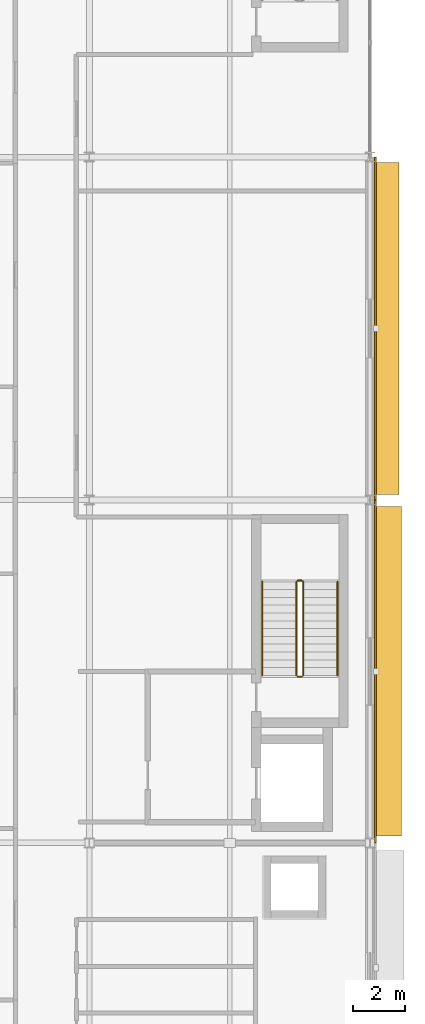
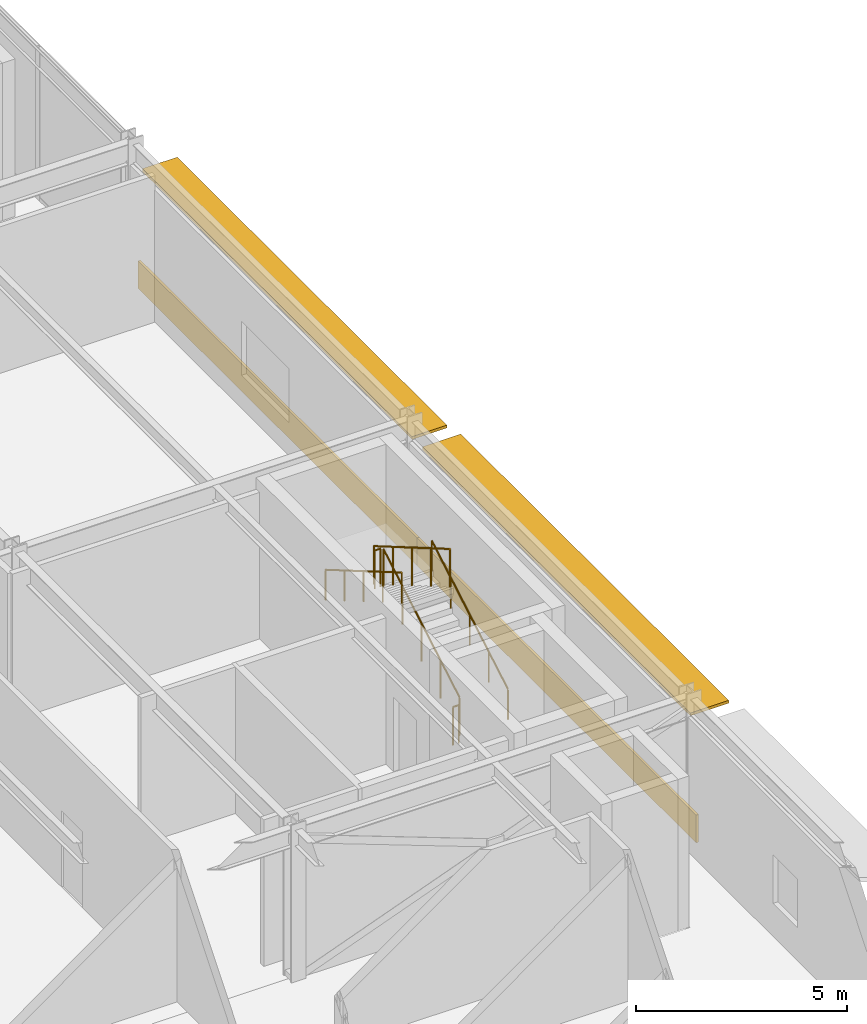
# One storey, part 155 of 157: 6 railings, 2 coverings, 2 shading devices.
"""IFC4 building model written with IfcOpenShell, lengths in metres."""

from ifc_helpers import new_model, si_unit, direction, frame, origin, origin_2d, place, context, subcontext, project, spatial, rectangle, circle, extrude, material, layer, layer_set, type_object, element, save


model = new_model("IFC4")

# Units and contexts
model_context = context("Model", 3, precision=1e-05, world=origin(), true_north=direction((0.0, 1.0)))
body_context = subcontext(model_context, "Body", "Model", "MODEL_VIEW")
ifc_project = project(units=[si_unit("LENGTHUNIT", "METRE"), si_unit("AREAUNIT", "SQUARE_METRE"), si_unit("VOLUMEUNIT", "CUBIC_METRE"), si_unit("PLANEANGLEUNIT", "RADIAN"), si_unit("MASSUNIT", "GRAM", prefix="KILO")], contexts=[model_context])

# Site, building, storey
site_placement = place(None, origin())
site = spatial("IfcSite", under=ifc_project, at=site_placement, CompositionType="ELEMENT")
building_placement = place(site_placement, origin())
building = spatial("IfcBuilding", under=site, at=building_placement, Name="Almandine Court Research Institute", CompositionType="ELEMENT")
storey_placement = place(building_placement, frame((0.0, 0.0, 5.25)))
storey = spatial("IfcBuildingStorey", under=building, at=storey_placement, Name="L01", CompositionType="ELEMENT", Elevation=5.25)

# Coverings
ifc_material_1 = material(Name="Honed Andean Red-Buff Sandstone Cladding", Category="masonry")
ifc_layer_1 = layer(ifc_material_1, 0.06494140625)
ifc_layer_set_1 = layer_set([ifc_layer_1], Name="Honed Andean Red-Buff Sandstone Cladding")
covering_type = type_object("IfcCoveringType", Name="Cov-CLAD-SAND", PredefinedType="CLADDING", material=ifc_layer_set_1)
for number, where, z_axis, x_axis, name in (
    (1, (174.200927734375, 64.199951171875, 0.02001953125), (0.0, 0.0, 1.0), (0.0, -1.0, 0.0), "L01 Facade Spandrel Cladding Band 129"),
    (2, (174.200927734375, 51.0, 0.02001953125), (0.0, 0.0, 1.0), (0.0, -1.0, 0.0), "L01 Facade Spandrel Cladding Band 130"),
):
    element("IfcCovering", number, at=place(storey_placement, frame(where, z_axis=z_axis, x_axis=x_axis)), inside=storey, type_object=covering_type, Name=name, PredefinedType="CLADDING", context=body_context, shape_type="SweptSolid", body=[
        extrude(rectangle(XDim=13.19189453125, YDim=0.06494140625, at=origin_2d()), origin(), (0.0, 0.0, 1.0), 0.800048828125),
    ])

# Railings
ifc_material_2 = material(Name="Powder-Coated Steel Stair and Atrium Balustrade", Category="steel")
railing_type_1 = type_object("IfcRailingType", Name="Rail-GUARD-INT", PredefinedType="BALUSTRADE", material=ifc_material_2)
railing_1_placement = place(storey_placement, frame((171.429931640625, 50.85009765625, 0.175048828125)))
element("IfcRailing", 3, at=railing_1_placement, inside=storey, type_object=railing_type_1, Name="L01 ST-08 stair guard 1", PredefinedType="BALUSTRADE", context=body_context, shape_type="SweptSolid", body=[
    extrude(circle(Radius=0.02392578125, at=origin_2d()), frame((0.0, 0.0, 1.09619140625), z_axis=(0.0, 0.86378527499, 0.503860098351), x_axis=(-1.0, 0.0, 0.0)), (0.0, 0.0, 1.0), 4.16748046875),
    extrude(circle(Radius=0.02099609375, at=origin_2d()), origin(), (0.0, 0.0, 1.0), 1.072021484375),
    extrude(circle(Radius=0.02099609375, at=origin_2d()), frame((0.0, 0.89990234375, 0.52490234375)), (0.0, 0.0, 1.0), 1.072021484375),
    extrude(circle(Radius=0.02099609375, at=origin_2d()), frame((0.0, 1.7998046875, 1.0498046875)), (0.0, 0.0, 1.0), 1.072021484375),
    extrude(circle(Radius=0.02099609375, at=origin_2d()), frame((0.0, 2.699951171875, 1.574951171875)), (0.0, 0.0, 1.0), 1.072021484375),
    extrude(circle(Radius=0.02099609375, at=origin_2d()), frame((0.0, 3.599853515625, 2.099853515625)), (0.0, 0.0, 1.0), 1.072021484375),
])
railing_2_placement = place(storey_placement, frame((171.3798828125, 54.5, 2.27490234375)))
element("IfcRailing", 4, at=railing_2_placement, inside=storey, type_object=railing_type_1, Name="L01 ST-08 stair guard 2", PredefinedType="BALUSTRADE", context=body_context, shape_type="SweptSolid", body=[
    extrude(circle(Radius=0.02392578125, at=origin_2d()), frame((0.0, 0.0, 1.09619140625), z_axis=(-1.0, 0.0, 0.0), x_axis=(0.0, -1.0, 0.0)), (0.0, 0.0, 1.0), 0.159912109375),
    extrude(circle(Radius=0.02099609375, at=origin_2d()), origin(), (0.0, 0.0, 1.0), 1.072021484375),
    extrude(circle(Radius=0.02099609375, at=origin_2d()), frame((-0.159912109375, 0.0, 0.0)), (0.0, 0.0, 1.0), 1.072021484375),
])
railing_3_placement = place(storey_placement, frame((171.169921875, 54.449951171875, 2.449951171875)))
element("IfcRailing", 5, at=railing_3_placement, inside=storey, type_object=railing_type_1, Name="L01 ST-08 stair guard 3", PredefinedType="BALUSTRADE", context=body_context, shape_type="SweptSolid", body=[
    extrude(circle(Radius=0.02392578125, at=origin_2d()), frame((0.0, 0.0, 1.09619140625), z_axis=(0.0, -0.863759778359, 0.503903805591), x_axis=(1.0, 0.0, 0.0)), (0.0, 0.0, 1.0), 4.167724609375),
    extrude(circle(Radius=0.02099609375, at=origin_2d()), origin(), (0.0, 0.0, 1.0), 1.072021484375),
    extrude(circle(Radius=0.02099609375, at=origin_2d()), frame((0.0, -0.89990234375, 0.52490234375)), (0.0, 0.0, 1.0), 1.072021484375),
    extrude(circle(Radius=0.02099609375, at=origin_2d()), frame((0.0, -1.7998046875, 1.050048828125)), (0.0, 0.0, 1.0), 1.072021484375),
    extrude(circle(Radius=0.02099609375, at=origin_2d()), frame((0.0, -2.699951171875, 1.5751953125)), (0.0, 0.0, 1.0), 1.072021484375),
    extrude(circle(Radius=0.02099609375, at=origin_2d()), frame((0.0, -3.599853515625, 2.10009765625)), (0.0, 0.0, 1.0), 1.072021484375),
])
railing_4_placement = place(storey_placement, frame((171.3798828125, 50.800048828125, 0.0)))
element("IfcRailing", 6, at=railing_4_placement, inside=storey, type_object=railing_type_1, Name="L01 ST-08 stair guard 4", PredefinedType="BALUSTRADE", context=body_context, shape_type="SweptSolid", body=[
    extrude(circle(Radius=0.02392578125, at=origin_2d()), frame((0.0, 0.0, 1.09619140625), z_axis=(-1.0, 0.0, 0.0), x_axis=(0.0, -1.0, 0.0)), (0.0, 0.0, 1.0), 0.159912109375),
    extrude(circle(Radius=0.02099609375, at=origin_2d()), origin(), (0.0, 0.0, 1.0), 1.072021484375),
    extrude(circle(Radius=0.02099609375, at=origin_2d()), frame((-0.159912109375, 0.0, 0.0)), (0.0, 0.0, 1.0), 1.072021484375),
])
ifc_material_3 = material(Name="Brushed Stainless Steel Wall Handrail", Category="steel")
railing_type_2 = type_object("IfcRailingType", Name="Rail-HAND-INT", PredefinedType="HANDRAIL", material=ifc_material_3)
railing_5_placement = place(storey_placement, frame((172.75, 50.85009765625, 0.175048828125)))
element("IfcRailing", 7, at=railing_5_placement, inside=storey, type_object=railing_type_2, Name="L01 ST-08 stair handrail 1", PredefinedType="HANDRAIL", context=body_context, shape_type="SweptSolid", body=[
    extrude(circle(Radius=0.02392578125, at=origin_2d()), frame((0.0, 0.0, 0.8759765625), z_axis=(0.0, 0.86378527499, 0.503860098351), x_axis=(-1.0, 0.0, 0.0)), (0.0, 0.0, 1.0), 4.16748046875),
    extrude(circle(Radius=0.02099609375, at=origin_2d()), origin(), (0.0, 0.0, 1.0), 0.851806640625),
    extrude(circle(Radius=0.02099609375, at=origin_2d()), frame((0.0, 0.89990234375, 0.52490234375)), (0.0, 0.0, 1.0), 0.851806640625),
    extrude(circle(Radius=0.02099609375, at=origin_2d()), frame((0.0, 1.7998046875, 1.0498046875)), (0.0, 0.0, 1.0), 0.851806640625),
    extrude(circle(Radius=0.02099609375, at=origin_2d()), frame((0.0, 2.699951171875, 1.574951171875)), (0.0, 0.0, 1.0), 0.851806640625),
    extrude(circle(Radius=0.02099609375, at=origin_2d()), frame((0.0, 3.599853515625, 2.099853515625)), (0.0, 0.0, 1.0), 0.851806640625),
])
railing_6_placement = place(storey_placement, frame((169.85009765625, 54.449951171875, 2.449951171875)))
element("IfcRailing", 8, at=railing_6_placement, inside=storey, type_object=railing_type_2, Name="L01 ST-08 stair handrail 2", PredefinedType="HANDRAIL", context=body_context, shape_type="SweptSolid", body=[
    extrude(circle(Radius=0.02392578125, at=origin_2d()), frame((0.0, 0.0, 0.8759765625), z_axis=(0.0, -0.863759778359, 0.503903805591), x_axis=(1.0, 0.0, 0.0)), (0.0, 0.0, 1.0), 4.167724609375),
    extrude(circle(Radius=0.02099609375, at=origin_2d()), origin(), (0.0, 0.0, 1.0), 0.851806640625),
    extrude(circle(Radius=0.02099609375, at=origin_2d()), frame((0.0, -0.89990234375, 0.52490234375)), (0.0, 0.0, 1.0), 0.851806640625),
    extrude(circle(Radius=0.02099609375, at=origin_2d()), frame((0.0, -1.7998046875, 1.050048828125)), (0.0, 0.0, 1.0), 0.851806640625),
    extrude(circle(Radius=0.02099609375, at=origin_2d()), frame((0.0, -2.699951171875, 1.5751953125)), (0.0, 0.0, 1.0), 0.851806640625),
    extrude(circle(Radius=0.02099609375, at=origin_2d()), frame((0.0, -3.599853515625, 2.10009765625)), (0.0, 0.0, 1.0), 0.851806640625),
])

# Shading devices
ifc_material_4 = material(Name="Precast GFRC Chhajja Sunshade and Acoustic Louvre", Category="concrete")
ifc_layer_2 = layer(ifc_material_4, 0.080078125)
ifc_layer_set_2 = layer_set([ifc_layer_2], Name="Precast GFRC Chhajja Sunshade and Acoustic Louvre")
shading_device_type_1 = type_object("IfcShadingDeviceType", Name="Shd-SD-38", PredefinedType="AWNING", material=ifc_layer_set_2)
shading_device_1_placement = place(storey_placement, frame((174.635009765625, 64.199951171875, 3.534912109375), z_axis=(0.0, 0.0, 1.0), x_axis=(0.0, -1.0, 0.0)))
element("IfcShadingDevice", 9, at=shading_device_1_placement, inside=storey, type_object=shading_device_type_1, Name="L01 Projecting Chhajja Sunshade 85", PredefinedType="AWNING", context=body_context, shape_type="SweptSolid", body=[
    extrude(rectangle(XDim=12.761962890625, YDim=0.949951171875, at=origin_2d()), origin(), (0.0, 0.0, 1.0), 0.080078125),
])
ifc_layer_3 = layer(ifc_material_4, 0.080078125)
ifc_layer_set_3 = layer_set([ifc_layer_3], Name="Precast GFRC Chhajja Sunshade and Acoustic Louvre")
shading_device_type_2 = type_object("IfcShadingDeviceType", Name="Shd-SD-52", PredefinedType="AWNING", material=ifc_layer_set_3)
shading_device_2_placement = place(storey_placement, frame((174.68505859375, 51.0, 3.534912109375), z_axis=(0.0, 0.0, 1.0), x_axis=(0.0, -1.0, 0.0)))
element("IfcShadingDevice", 10, at=shading_device_2_placement, inside=storey, type_object=shading_device_type_2, Name="L01 Projecting Chhajja Sunshade 86", PredefinedType="AWNING", context=body_context, shape_type="SweptSolid", body=[
    extrude(rectangle(XDim=12.681884765625, YDim=1.050048828125, at=origin_2d()), origin(), (0.0, 0.0, 1.0), 0.080078125),
])

save(model, "model.ifc")
